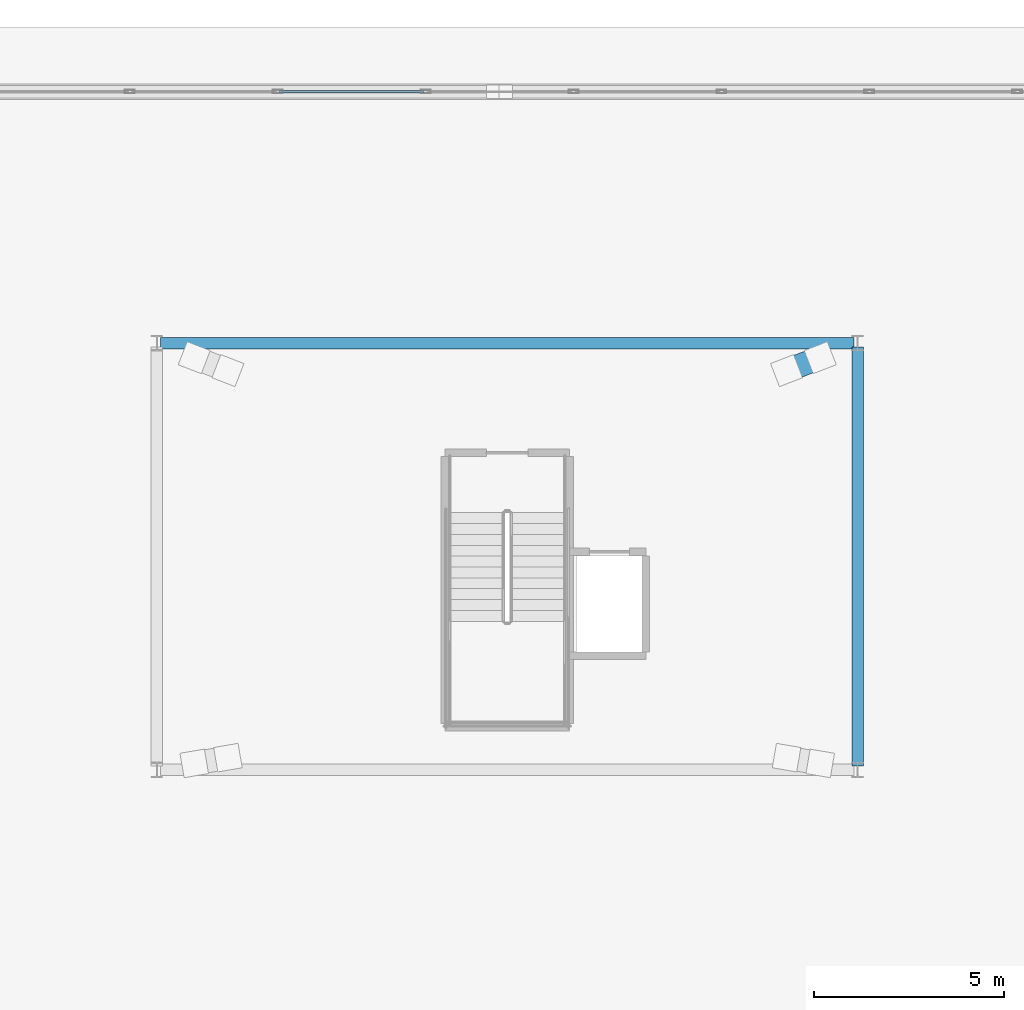
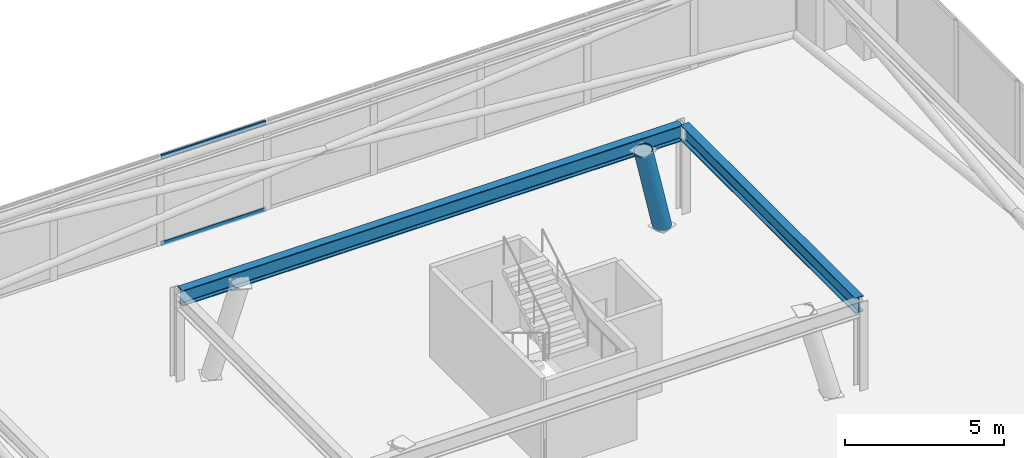
# One storey, part 11 of 22: 3 members, 2 beams, 1 element without a shape of its own.
"""IFC4 building model written with IfcOpenShell, lengths in metres."""

from ifc_helpers import new_model, si_unit, direction, frame, origin, origin_2d, place, context, subcontext, project, spatial, hollow_rectangle, hollow_circle, i_section, extrude, material, layer, layer_set, material_profile, profile_set, type_object, element, aggregate, save


model = new_model("IFC4")

# Units and contexts
model_context = context("Model", 3, precision=1e-05, world=origin(), true_north=direction((0.0, 1.0)))
body_context = subcontext(model_context, "Body", "Model", "MODEL_VIEW")
ifc_project = project(units=[si_unit("LENGTHUNIT", "METRE"), si_unit("AREAUNIT", "SQUARE_METRE"), si_unit("VOLUMEUNIT", "CUBIC_METRE"), si_unit("PLANEANGLEUNIT", "RADIAN"), si_unit("MASSUNIT", "GRAM", prefix="KILO")], contexts=[model_context])

# Site, building, storey
site_placement = place(None, origin())
site = spatial("IfcSite", under=ifc_project, at=site_placement, CompositionType="ELEMENT")
building_placement = place(site_placement, origin())
building = spatial("IfcBuilding", under=site, at=building_placement, Name="Qobustan Lattice House", CompositionType="ELEMENT")
storey_placement = place(building_placement, frame((0.0, 0.0, 274.0)))
storey = spatial("IfcBuildingStorey", under=building, at=storey_placement, Name="L77", CompositionType="ELEMENT", Elevation=274.0)

# Beams
ifc_material_1 = material(Name="Steel S355", Category="steel")
ifc_material_profile_1 = material_profile(ifc_material_1, i_section(OverallWidth=0.300048828125, OverallDepth=0.60009765625, WebThickness=0.015380859375, FlangeThickness=0.030029296875, FilletRadius=0.027099609375, at=origin_2d()), Name="HEB600")
ifc_profile_set_1 = profile_set([ifc_material_profile_1], Name="Steel S355")
beam_type = type_object("IfcBeamType", Name="BM-POD-HEB600", PredefinedType="USERDEFINED", material=ifc_profile_set_1)
beam_1_placement = place(storey_placement, frame((9.199951171875, -5.5, 3.10009765625), z_axis=(0.0, 1.0, 0.0), x_axis=(-1.0, 0.0, 0.0)))
element("IfcBeam", 1, at=beam_1_placement, inside=storey, type_object=beam_type, Name="L77 crown support ring girder 2", ObjectType="GIRDER", PredefinedType="USERDEFINED", context=body_context, shape_type="SweptSolid", body=[
    extrude(i_section(OverallWidth=0.300048828125, OverallDepth=0.60009765625, WebThickness=0.015380859375, FlangeThickness=0.030029296875, FilletRadius=0.027099609375, at=origin_2d()), origin(), (0.0, 0.0, 1.0), 11.0),
])
beam_2_placement = place(storey_placement, frame((9.10009765625, 5.60009765625, 3.10009765625), z_axis=(-1.0, 0.0, 0.0), x_axis=(0.0, -1.0, 0.0)))
element("IfcBeam", 2, at=beam_2_placement, inside=storey, type_object=beam_type, Name="L77 crown support ring girder 3", ObjectType="GIRDER", PredefinedType="USERDEFINED", context=body_context, shape_type="SweptSolid", body=[
    extrude(i_section(OverallWidth=0.300048828125, OverallDepth=0.60009765625, WebThickness=0.015380859375, FlangeThickness=0.030029296875, FilletRadius=0.027099609375, at=origin_2d()), origin(), (0.0, 0.0, 1.0), 18.2001953125),
])

# Curtain wall, members
ifc_material_2 = material(Name="Anodised aluminium and low-E glazing", Category="aluminium")
ifc_layer = layer(ifc_material_2, 0.219970703125)
ifc_layer_set = layer_set([ifc_layer], Name="Anodised aluminium and low-E glazing")
curtain_wall_type = type_object("IfcCurtainWallType", Name="CW-CRN-01", PredefinedType="USERDEFINED", material=ifc_layer_set)
curtain_wall_placement = place(storey_placement, origin())
curtain_wall = element("IfcCurtainWall", 3, at=curtain_wall_placement, inside=storey, type_object=curtain_wall_type, Name="L77 glass-point crown faceted curtain wall 10", ObjectType="CURTAIN WALL", PredefinedType="USERDEFINED")
ifc_material_3 = material(Name="Anodised aluminium EN AW-6063 T6", Category="aluminium")
ifc_material_profile_2 = material_profile(ifc_material_3, hollow_rectangle(XDim=0.06494140625, YDim=0.159912109375, WallThickness=0.00390625, at=origin_2d()), Name="CWT-160x65")
ifc_profile_set_2 = profile_set([ifc_material_profile_2], Name="Anodised aluminium EN AW-6063 T6")
member_type_1 = type_object("IfcMemberType", Name="CWT-HOR-160", PredefinedType="USERDEFINED", material=ifc_profile_set_2)
member_1_placement = place(storey_placement, frame((-5.9794921875, 12.201416015625, 0.032470703125), z_axis=(1.0, 0.0, 0.0), x_axis=(0.0, 1.0, 0.0)))
member_1 = element("IfcMember", 4, at=member_1_placement, type_object=member_type_1, Name="CW-CR transom 4.1", ObjectType="TRANSOM", PredefinedType="USERDEFINED", context=body_context, shape_type="SweptSolid", body=[
    extrude(hollow_rectangle(XDim=0.06494140625, YDim=0.159912109375, WallThickness=0.00390625, at=origin_2d()), origin(), (0.0, 0.0, 1.0), 3.79296875),
])
member_2_placement = place(storey_placement, frame((-5.9794921875, 12.201416015625, 3.367431640625), z_axis=(1.0, 0.0, 0.0), x_axis=(0.0, 1.0, 0.0)))
member_2 = element("IfcMember", 5, at=member_2_placement, type_object=member_type_1, Name="CW-CR transom 4.2", ObjectType="TRANSOM", PredefinedType="USERDEFINED", context=body_context, shape_type="SweptSolid", body=[
    extrude(hollow_rectangle(XDim=0.06494140625, YDim=0.159912109375, WallThickness=0.00390625, at=origin_2d()), origin(), (0.0, 0.0, 1.0), 3.79296875),
])
aggregate(curtain_wall, [member_1, member_2])

# Member
ifc_material_4 = material(Name="Steel S355", Category="steel")
ifc_material_profile_3 = material_profile(ifc_material_4, hollow_circle(Radius=0.304931640625, WallThickness=0.02490234375, at=origin_2d()), Name="CHS610x25")
ifc_profile_set_3 = profile_set([ifc_material_profile_3], Name="Steel S355")
member_type_2 = type_object("IfcMemberType", Name="MEM-SPR-CHS610", PredefinedType="USERDEFINED", material=ifc_profile_set_3)
member_3_placement = place(storey_placement, frame((8.21484375, 5.219970703125, 0.0), z_axis=(-0.249829949354, -0.096375829258, 0.963481549351), x_axis=(0.359913837202, -0.9329855464, 0.0)))
element("IfcMember", 6, at=member_3_placement, inside=storey, type_object=member_type_2, Name="L77 crown spire leg SL3", ObjectType="CROWN FRAME", PredefinedType="USERDEFINED", context=body_context, shape_type="SweptSolid", body=[
    extrude(hollow_circle(Radius=0.304931640625, WallThickness=0.02490234375, at=origin_2d()), origin(), (0.0, 0.0, 1.0), 3.52880859375),
])

save(model, "model.ifc")
